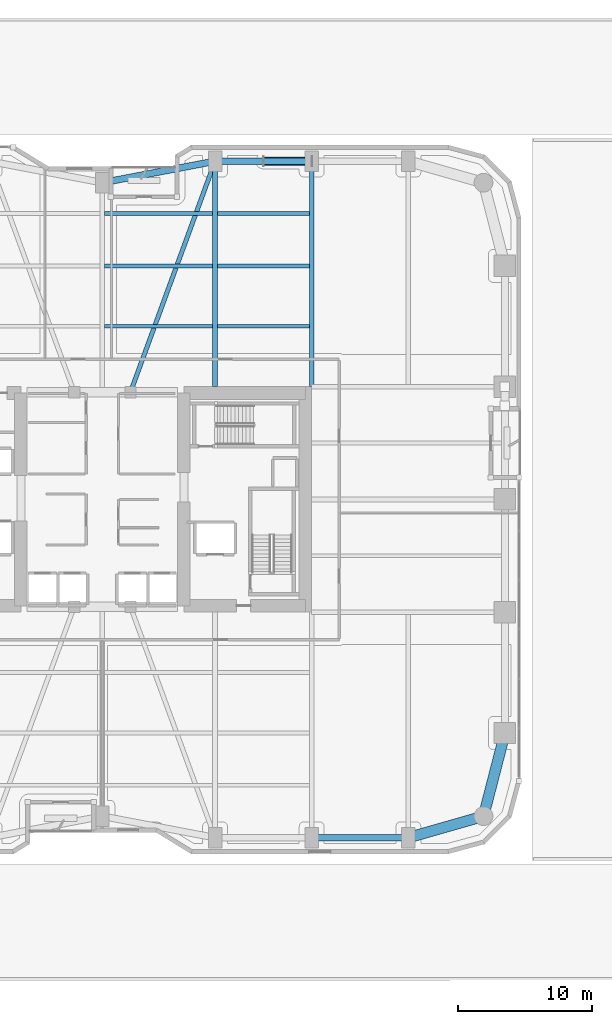
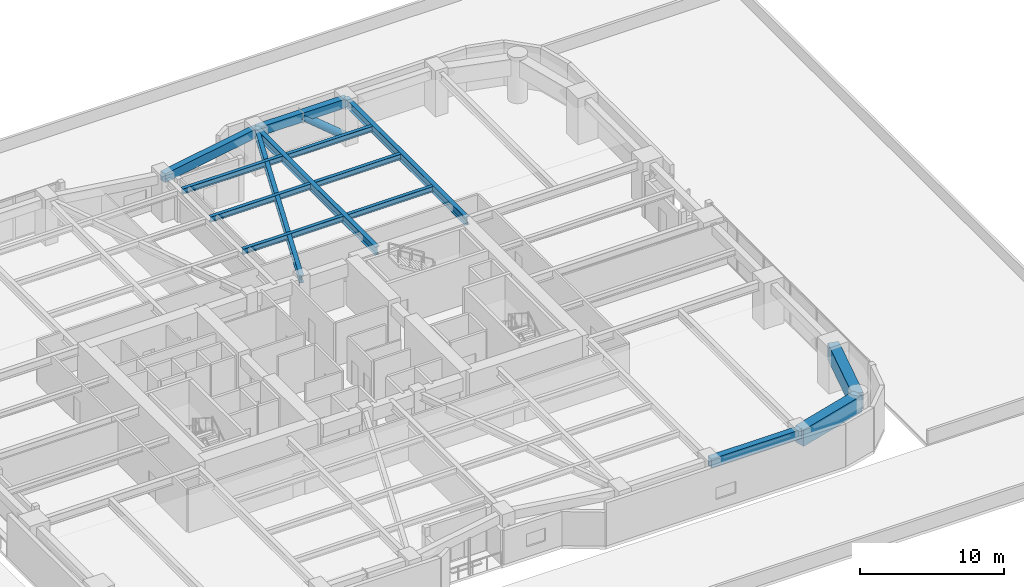
# One storey, part 13 of 38: 14 beams, 1 member.
"""IFC4 building model written with IfcOpenShell, lengths in metres."""

from ifc_helpers import new_model, si_unit, direction, frame, origin, origin_2d, place, context, subcontext, project, spatial, rectangle, hollow_circle, i_section, extrude, material, material_profile, profile_set, type_object, element, save


model = new_model("IFC4")

# Units and contexts
model_context = context("Model", 3, precision=1e-05, world=origin(), true_north=direction((0.0, 1.0)))
body_context = subcontext(model_context, "Body", "Model", "MODEL_VIEW")
ifc_project = project(units=[si_unit("LENGTHUNIT", "METRE"), si_unit("AREAUNIT", "SQUARE_METRE"), si_unit("VOLUMEUNIT", "CUBIC_METRE"), si_unit("PLANEANGLEUNIT", "RADIAN"), si_unit("MASSUNIT", "GRAM", prefix="KILO")], contexts=[model_context])

# Site, building, storey
site_placement = place(None, origin())
site = spatial("IfcSite", under=ifc_project, at=site_placement, CompositionType="ELEMENT")
building_placement = place(site_placement, origin())
building = spatial("IfcBuilding", under=site, at=building_placement, Name="Kiyonajd Concourse Tower", CompositionType="ELEMENT")
storey_placement = place(building_placement, frame((0.0, 0.0, 21.60009765625)))
storey = spatial("IfcBuildingStorey", under=building, at=storey_placement, Name="L06", CompositionType="ELEMENT", Elevation=21.60009765625)

# Beams
ifc_material_1 = material(Name="Steel ASTM A992 Grade 50", Category="steel")
ifc_material_profile_1 = material_profile(ifc_material_1, i_section(OverallWidth=0.280029296875, OverallDepth=0.462890625, WebThickness=0.0107421875, FlangeThickness=0.017333984375, at=origin_2d()), Name="W460X113")
ifc_profile_set_1 = profile_set([ifc_material_profile_1], Name="Steel ASTM A992 Grade 50")
beam_type_1 = type_object("IfcBeamType", Name="BM-JST-460A", PredefinedType="JOIST", material=ifc_profile_set_1)
beam_1_placement = place(storey_placement, frame((48.177490234375, 48.89990234375, 3.408447265625), z_axis=(1.0, 0.0, 0.0), x_axis=(0.0, 1.0, 0.0)))
element("IfcBeam", 1, at=beam_1_placement, inside=storey, type_object=beam_type_1, Name="L06 Secondary Floor Joist", PredefinedType="JOIST", context=body_context, shape_type="SweptSolid", body=[
    extrude(i_section(OverallWidth=0.280029296875, OverallDepth=0.462890625, WebThickness=0.0107421875, FlangeThickness=0.017333984375, at=origin_2d()), origin(), (0.0, 0.0, 1.0), 8.044921875),
])
beam_2_placement = place(storey_placement, frame((56.577392578125, 48.89990234375, 3.408447265625), z_axis=(1.0, 0.0, 0.0), x_axis=(0.0, 1.0, 0.0)))
element("IfcBeam", 2, at=beam_2_placement, inside=storey, type_object=beam_type_1, Name="L06 Secondary Floor Joist", PredefinedType="JOIST", context=body_context, shape_type="SweptSolid", body=[
    extrude(i_section(OverallWidth=0.280029296875, OverallDepth=0.462890625, WebThickness=0.0107421875, FlangeThickness=0.017333984375, at=origin_2d()), origin(), (0.0, 0.0, 1.0), 6.84521484375),
])
beam_3_placement = place(storey_placement, frame((48.177490234375, 53.39990234375, 3.408447265625), z_axis=(1.0, 0.0, 0.0), x_axis=(0.0, 1.0, 0.0)))
element("IfcBeam", 3, at=beam_3_placement, inside=storey, type_object=beam_type_1, Name="L06 Secondary Floor Joist", PredefinedType="JOIST", context=body_context, shape_type="SweptSolid", body=[
    extrude(i_section(OverallWidth=0.280029296875, OverallDepth=0.462890625, WebThickness=0.0107421875, FlangeThickness=0.017333984375, at=origin_2d()), origin(), (0.0, 0.0, 1.0), 8.044921875),
])
beam_4_placement = place(storey_placement, frame((56.577392578125, 53.39990234375, 3.408447265625), z_axis=(1.0, 0.0, 0.0), x_axis=(0.0, 1.0, 0.0)))
element("IfcBeam", 4, at=beam_4_placement, inside=storey, type_object=beam_type_1, Name="L06 Secondary Floor Joist", PredefinedType="JOIST", context=body_context, shape_type="SweptSolid", body=[
    extrude(i_section(OverallWidth=0.280029296875, OverallDepth=0.462890625, WebThickness=0.0107421875, FlangeThickness=0.017333984375, at=origin_2d()), origin(), (0.0, 0.0, 1.0), 6.84521484375),
])
beam_5_placement = place(storey_placement, frame((48.177490234375, 57.300048828125, 3.408447265625), z_axis=(1.0, 0.0, 0.0), x_axis=(0.0, 1.0, 0.0)))
element("IfcBeam", 5, at=beam_5_placement, inside=storey, type_object=beam_type_1, Name="L06 Secondary Floor Joist", PredefinedType="JOIST", context=body_context, shape_type="SweptSolid", body=[
    extrude(i_section(OverallWidth=0.280029296875, OverallDepth=0.462890625, WebThickness=0.0107421875, FlangeThickness=0.017333984375, at=origin_2d()), origin(), (0.0, 0.0, 1.0), 8.044921875),
])
beam_6_placement = place(storey_placement, frame((56.577392578125, 57.300048828125, 3.408447265625), z_axis=(1.0, 0.0, 0.0), x_axis=(0.0, 1.0, 0.0)))
element("IfcBeam", 6, at=beam_6_placement, inside=storey, type_object=beam_type_1, Name="L06 Secondary Floor Joist", PredefinedType="JOIST", context=body_context, shape_type="SweptSolid", body=[
    extrude(i_section(OverallWidth=0.280029296875, OverallDepth=0.462890625, WebThickness=0.0107421875, FlangeThickness=0.017333984375, at=origin_2d()), origin(), (0.0, 0.0, 1.0), 6.84521484375),
])
ifc_material_2 = material(Name="Precast concrete C50/60", Category="concrete")
ifc_material_profile_2 = material_profile(ifc_material_2, rectangle(XDim=0.5, YDim=0.75, at=origin_2d()), Name="RCBM-500x750")
ifc_profile_set_2 = profile_set([ifc_material_profile_2], Name="Precast concrete C50/60")
beam_type_2 = type_object("IfcBeamType", Name="BM-SPAN-RC", PredefinedType="SPANDREL", material=ifc_profile_set_2)
beam_7_placement = place(storey_placement, frame((63.60009765625, 10.800048828125, 3.264892578125), z_axis=(1.0, 0.0, 0.0), x_axis=(0.0, 1.0, 0.0)))
element("IfcBeam", 7, at=beam_7_placement, inside=storey, type_object=beam_type_2, Name="L06 Perimeter Bundled Tube Spandrel", PredefinedType="SPANDREL", context=body_context, shape_type="SweptSolid", body=[
    extrude(rectangle(XDim=0.5, YDim=0.75, at=origin_2d()), origin(), (0.0, 0.0, 1.0), 7.199951171875),
])
beam_8_placement = place(storey_placement, frame((63.60009765625, 61.199951171875, 3.264892578125), z_axis=(-1.0, 0.0, 0.0), x_axis=(0.0, -1.0, 0.0)))
element("IfcBeam", 8, at=beam_8_placement, inside=storey, type_object=beam_type_2, Name="L06 Perimeter Bundled Tube Spandrel", PredefinedType="SPANDREL", context=body_context, shape_type="SweptSolid", body=[
    extrude(rectangle(XDim=0.5, YDim=0.75, at=origin_2d()), origin(), (0.0, 0.0, 1.0), 7.2001953125),
])
beam_9_placement = place(storey_placement, frame((56.39990234375, 61.199951171875, 3.264892578125), z_axis=(-0.982341315253, -0.187097675953, 0.0), x_axis=(0.187097675953, -0.982341315253, 0.0)))
element("IfcBeam", 9, at=beam_9_placement, inside=storey, type_object=beam_type_2, Name="L06 Perimeter Bundled Tube Spandrel", PredefinedType="SPANDREL", context=body_context, shape_type="SweptSolid", body=[
    extrude(rectangle(XDim=0.5, YDim=0.75, at=origin_2d()), origin(), (0.0, 0.0, 1.0), 8.55078125),
])
ifc_material_profile_3 = material_profile(ifc_material_1, i_section(OverallWidth=0.326904296875, OverallDepth=0.6220703125, WebThickness=0.015380859375, FlangeThickness=0.0244140625, at=origin_2d()), Name="W610X195")
ifc_profile_set_3 = profile_set([ifc_material_profile_3], Name="Steel ASTM A992 Grade 50")
beam_type_3 = type_object("IfcBeamType", Name="BM-TWR-610A", PredefinedType="BEAM", material=ifc_profile_set_3)
beam_10_placement = place(storey_placement, frame((50.10009765625, 44.0, 3.328857421875), z_axis=(0.343925269715, 0.938997022813, 0.0), x_axis=(-0.938997022813, 0.343925269715, 0.0)))
element("IfcBeam", 10, at=beam_10_placement, inside=storey, type_object=beam_type_3, Name="L06 Core Tie Girder", PredefinedType="BEAM", context=body_context, shape_type="SweptSolid", body=[
    extrude(i_section(OverallWidth=0.326904296875, OverallDepth=0.6220703125, WebThickness=0.015380859375, FlangeThickness=0.0244140625, at=origin_2d()), origin(), (0.0, 0.0, 1.0), 18.3173828125),
])
ifc_material_profile_4 = material_profile(ifc_material_1, i_section(OverallWidth=0.35498046875, OverallDepth=0.695068359375, WebThickness=0.015380859375, FlangeThickness=0.02490234375, at=origin_2d()), Name="W690X217")
ifc_profile_set_4 = profile_set([ifc_material_profile_4], Name="Steel ASTM A992 Grade 50")
beam_type_4 = type_object("IfcBeamType", Name="BM-TWR-690", PredefinedType="BEAM", material=ifc_profile_set_4)
for number, where, z_axis, x_axis, name in (
    (11, (56.39990234375, 44.39990234375, 3.29248046875), (0.0, 1.0, 0.0), (-1.0, 0.0, 0.0), "L06 North Lease Girder"),
    (12, (63.60009765625, 44.39990234375, 3.29248046875), (0.0, 1.0, 0.0), (-1.0, 0.0, 0.0), "L06 North Lease Girder"),
):
    element("IfcBeam", number, at=place(storey_placement, frame(where, z_axis=z_axis, x_axis=x_axis)), inside=storey, type_object=beam_type_4, Name=name, PredefinedType="BEAM", context=body_context, shape_type="SweptSolid", body=[
        extrude(i_section(OverallWidth=0.35498046875, OverallDepth=0.695068359375, WebThickness=0.015380859375, FlangeThickness=0.02490234375, at=origin_2d()), origin(), (0.0, 0.0, 1.0), 16.800048828125),
    ])
ifc_material_3 = material(Name="Concrete C60/75", Category="concrete")
ifc_material_profile_5 = material_profile(ifc_material_3, rectangle(XDim=0.800048828125, YDim=1.39990234375, at=origin_2d()), Name="RCBM-800x1400")
ifc_profile_set_5 = profile_set([ifc_material_profile_5], Name="Concrete C60/75")
beam_type_5 = type_object("IfcBeamType", Name="BM-XFER-RC", PredefinedType="BEAM", material=ifc_profile_set_5)
beam_11_placement = place(storey_placement, frame((70.800048828125, 10.800048828125, 2.93994140625), z_axis=(0.961528693205, 0.274704517878, 0.0), x_axis=(-0.274704517878, 0.961528693205, 0.0)))
element("IfcBeam", 13, at=beam_11_placement, inside=storey, type_object=beam_type_5, Name="L06 Perimeter Bundled Tube Spandrel", PredefinedType="BEAM", context=body_context, shape_type="SweptSolid", body=[
    extrude(rectangle(XDim=0.800048828125, YDim=1.39990234375, at=origin_2d()), origin(), (0.0, 0.0, 1.0), 5.823974609375),
])
beam_12_placement = place(storey_placement, frame((76.39990234375, 12.39990234375, 2.93994140625), z_axis=(0.249884937687, 0.968275538221, 0.0), x_axis=(-0.968275538221, 0.249884937687, 0.0)))
element("IfcBeam", 14, at=beam_12_placement, inside=storey, type_object=beam_type_5, Name="L06 Perimeter Bundled Tube Spandrel", PredefinedType="BEAM", context=body_context, shape_type="SweptSolid", body=[
    extrude(rectangle(XDim=0.800048828125, YDim=1.39990234375, at=origin_2d()), origin(), (0.0, 0.0, 1.0), 6.4033203125),
])

# Member
ifc_material_4 = material(Name="Steel ASTM A572 Grade 50", Category="steel")
ifc_material_profile_6 = material_profile(ifc_material_4, hollow_circle(Radius=0.304931640625, WallThickness=0.02490234375, at=origin_2d()), Name="CHS-610x25")
ifc_profile_set_6 = profile_set([ifc_material_profile_6], Name="Steel ASTM A572 Grade 50")
member_type = type_object("IfcMemberType", Name="MB-PB-LOW", PredefinedType="BRACE", material=ifc_profile_set_6)
member_placement = place(storey_placement, frame((63.60009765625, 61.199951171875, 0.2998046875), z_axis=(-0.769280705518, 0.0, 0.638910945373), x_axis=(0.0, -1.0, 0.0)))
element("IfcMember", 15, at=member_placement, inside=storey, type_object=member_type, Name="L06 Lower Zone Welded Tube Brace PBN", PredefinedType="BRACE", context=body_context, shape_type="SweptSolid", body=[
    extrude(hollow_circle(Radius=0.304931640625, WallThickness=0.02490234375, at=origin_2d()), origin(), (0.0, 0.0, 1.0), 4.679931640625),
])

save(model, "model.ifc")
